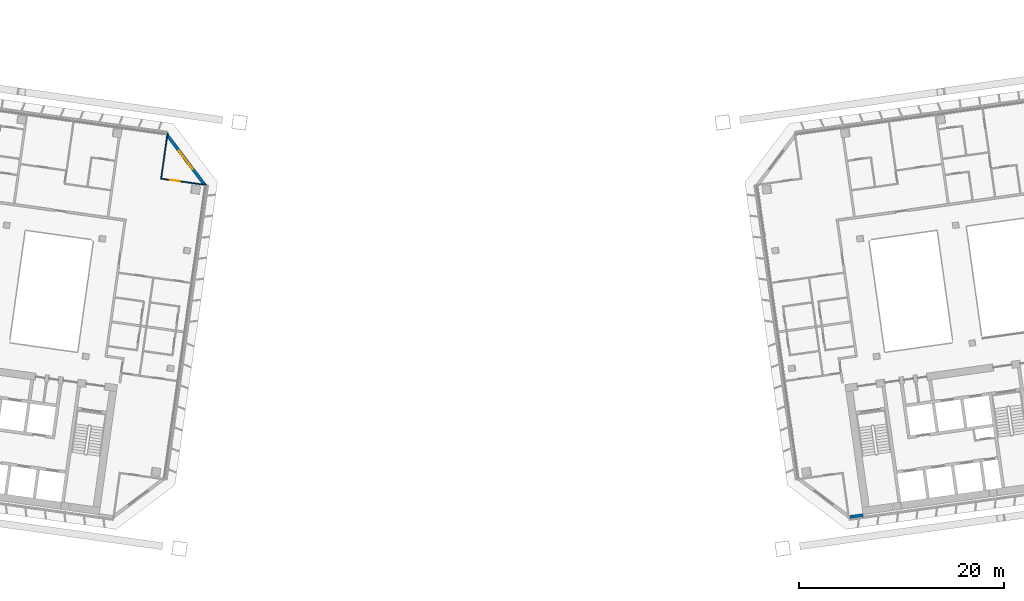
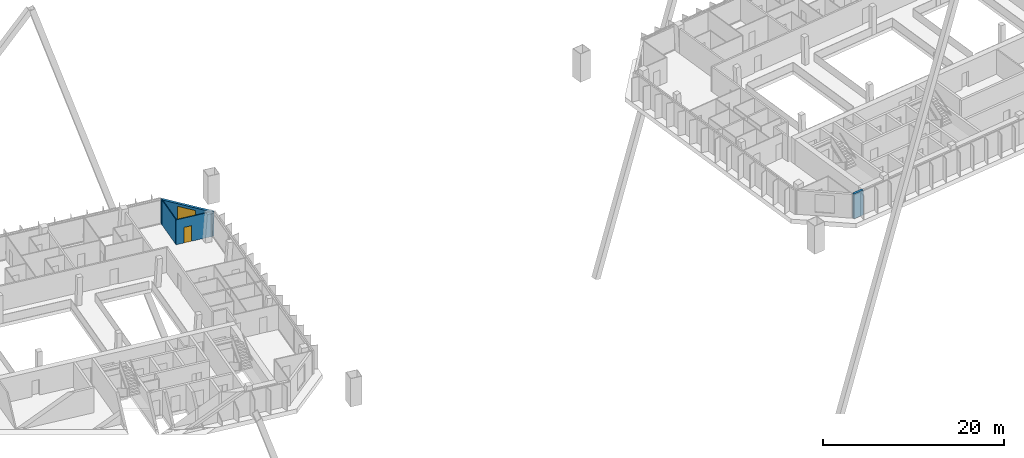
# One storey, part 27 of 38: 4 walls, 1 door, 1 window, 2 openings.
"""IFC4 building model written with IfcOpenShell, lengths in metres."""

from ifc_helpers import new_model, si_unit, direction, frame, frame_2d, origin, place, context, subcontext, project, spatial, rectangle, extrude, material, layer, layer_set, type_object, element, fill, save


model = new_model("IFC4")

# Units and contexts
model_context = context("Model", 3, precision=1e-05, world=origin(), true_north=direction((0.0, 1.0)))
body_context = subcontext(model_context, "Body", "Model", "MODEL_VIEW")
ifc_project = project(units=[si_unit("LENGTHUNIT", "METRE"), si_unit("AREAUNIT", "SQUARE_METRE"), si_unit("VOLUMEUNIT", "CUBIC_METRE"), si_unit("PLANEANGLEUNIT", "RADIAN"), si_unit("MASSUNIT", "GRAM", prefix="KILO")], contexts=[model_context])

# Site, building, storey
site_placement = place(None, origin())
site = spatial("IfcSite", under=ifc_project, at=site_placement, CompositionType="ELEMENT")
building_placement = place(site_placement, origin())
building = spatial("IfcBuilding", under=site, at=building_placement, Name="Mirante Cascada Hotel Towers", CompositionType="ELEMENT")
storey_placement = place(building_placement, frame((0.0, 0.0, 184.0)))
storey = spatial("IfcBuildingStorey", under=building, at=storey_placement, Name="L43", CompositionType="ELEMENT", Elevation=184.0)

# Wall, opening, door
ifc_material_1 = material(Name="Plasterboard on metal studs")
ifc_layer_1 = layer(ifc_material_1, 0.1)
ifc_layer_set_1 = layer_set([ifc_layer_1], Name="Partition 100")
wall_type_1 = type_object("IfcWallType", Name="Partition 100", PredefinedType="PARTITIONING", material=ifc_layer_set_1)
wall_1_placement = place(storey_placement, frame((-31.2792, 12.8223, 0.0), z_axis=(0.0, 0.0, 1.0), x_axis=(0.9902661, -0.1391871, 0.0)))
wall_1 = element("IfcWall", 1, at=wall_1_placement, inside=storey, type_object=wall_type_1, Name="Wall 1-L43-23", PredefinedType="PARTITIONING", context=body_context, shape_type="SweptSolid", body=[
    extrude(rectangle(XDim=4.55, YDim=0.1, at=frame_2d((2.275, 0.0))), origin(), (0.0, 0.0, 1.0), 3.35),
])
opening_1_placement = place(wall_1_placement, frame((0.9718, 0.0, 0.0)))
opening_1 = element("IfcOpeningElement", 2, at=opening_1_placement, cuts=wall_1, Name="Opening D1-L43-18", PredefinedType="OPENING", context=body_context, shape_type="SweptSolid", body=[
    extrude(rectangle(XDim=0.9, YDim=2.1, at=frame_2d((0.45, 1.05))), frame((0.0, 0.05, 0.0), z_axis=(0.0, -1.0, 0.0), x_axis=(1.0, 0.0, 0.0)), (0.0, 0.0, 1.0), 0.1),
])
ifc_material_2 = material(Name="Timber door leaf", Category="wood")
door_type = type_object("IfcDoorType", Name="Room door DG3 900x2100", OperationType="SINGLE_SWING_LEFT", PredefinedType="DOOR", material=ifc_material_2)
door_placement = place(opening_1_placement, frame((0.9, 0.0, 0.0), z_axis=(0.0, 0.0, 1.0), x_axis=(-1.0, 0.0, 0.0)))
door = element("IfcDoor", 3, at=door_placement, inside=storey, type_object=door_type, Name="Door D1-L43-18", OperationType="SINGLE_SWING_RIGHT", OverallHeight=2.1, OverallWidth=0.9, PredefinedType="DOOR", context=body_context, shape_type="SweptSolid", body=[
    extrude(rectangle(XDim=0.9, YDim=2.1, at=frame_2d((0.45, 1.05))), frame((0.0, 0.025, 0.0), z_axis=(0.0, -1.0, 0.0), x_axis=(1.0, 0.0, 0.0)), (0.0, 0.0, 1.0), 0.05),
])
fill(opening_1, door)

# Wall
wall_2_placement = place(storey_placement, frame((-31.2227, 12.8648, 0.0), z_axis=(0.0, 0.0, 1.0), x_axis=(0.1391684, 0.9902687, 0.0)))
element("IfcWall", 4, at=wall_2_placement, inside=storey, type_object=wall_type_1, Name="Wall 1-L43-32", PredefinedType="PARTITIONING", context=body_context, shape_type="SweptSolid", body=[
    extrude(rectangle(XDim=4.45, YDim=0.1, at=frame_2d((2.225, 0.0))), origin(), (0.0, 0.0, 1.0), 3.35),
])

# Wall, opening, window
ifc_material_3 = material(Name="Precast concrete C40/50", Category="concrete")
ifc_layer_2 = layer(ifc_material_3, 0.3)
ifc_layer_set_2 = layer_set([ifc_layer_2], Name="Precast concrete C40/50 cladding wall 300")
wall_type_2 = type_object("IfcWallType", Name="Precast concrete C40/50 cladding wall 300", PredefinedType="STANDARD", material=ifc_layer_set_2)
wall_3_placement = place(storey_placement, frame((-30.6485, 17.0821, 0.0), z_axis=(0.0, 0.0, 1.0), x_axis=(0.6018141, -0.7986362, 0.0)))
wall_3 = element("IfcWall", 5, at=wall_3_placement, inside=storey, type_object=wall_type_2, Name="Corner cladding wall T1 L43 front inner", PredefinedType="STANDARD", context=body_context, shape_type="SweptSolid", body=[
    extrude(rectangle(XDim=6.1157, YDim=0.3, at=frame_2d((3.0578, 0.0))), origin(), (0.0, 0.0, 1.0), 3.35),
])
opening_2_placement = place(wall_3_placement, frame((1.9578, 0.0, 0.6)))
opening_2 = element("IfcOpeningElement", 6, at=opening_2_placement, cuts=wall_3, Name="Opening W1-43-03", PredefinedType="OPENING", context=body_context, shape_type="SweptSolid", body=[
    extrude(rectangle(XDim=2.2, YDim=2.4, at=frame_2d((1.1, 1.2))), frame((0.0, 0.15, 0.0), z_axis=(0.0, -1.0, 0.0), x_axis=(1.0, 0.0, 0.0)), (0.0, 0.0, 1.0), 0.3),
])
ifc_material_4 = material(Name="Aluminium frame with clear double glazing", Category="aluminium")
window_type = type_object("IfcWindowType", Name="Corner suite window 2200x2400", PartitioningType="DOUBLE_PANEL_VERTICAL", PredefinedType="WINDOW", material=ifc_material_4)
window_placement = place(opening_2_placement, origin())
window = element("IfcWindow", 7, at=window_placement, inside=storey, type_object=window_type, Name="Window W1-43-03", OverallHeight=2.4, OverallWidth=2.2, PartitioningType="SINGLE_PANEL", PredefinedType="WINDOW", context=body_context, shape_type="SweptSolid", body=[
    extrude(rectangle(XDim=2.2, YDim=2.4, at=frame_2d((1.1, 1.2))), frame((0.0, 0.03, 0.0), z_axis=(0.0, -1.0, 0.0), x_axis=(1.0, 0.0, 0.0)), (0.0, 0.0, 1.0), 0.06),
])
fill(opening_2, window)

# Wall
wall_4_placement = place(storey_placement, frame((35.994, -20.1928, 0.0), z_axis=(0.0, 0.0, 1.0), x_axis=(0.9902694, 0.1391638, 0.0)))
element("IfcWall", 8, at=wall_4_placement, inside=storey, type_object=wall_type_2, Name="Rear cladding wall T2 L43 1", PredefinedType="STANDARD", context=body_context, shape_type="SweptSolid", body=[
    extrude(rectangle(XDim=1.2963, YDim=0.3, at=frame_2d((0.6482, 0.0))), origin(), (0.0, 0.0, 1.0), 3.35),
])

save(model, "model.ifc")
